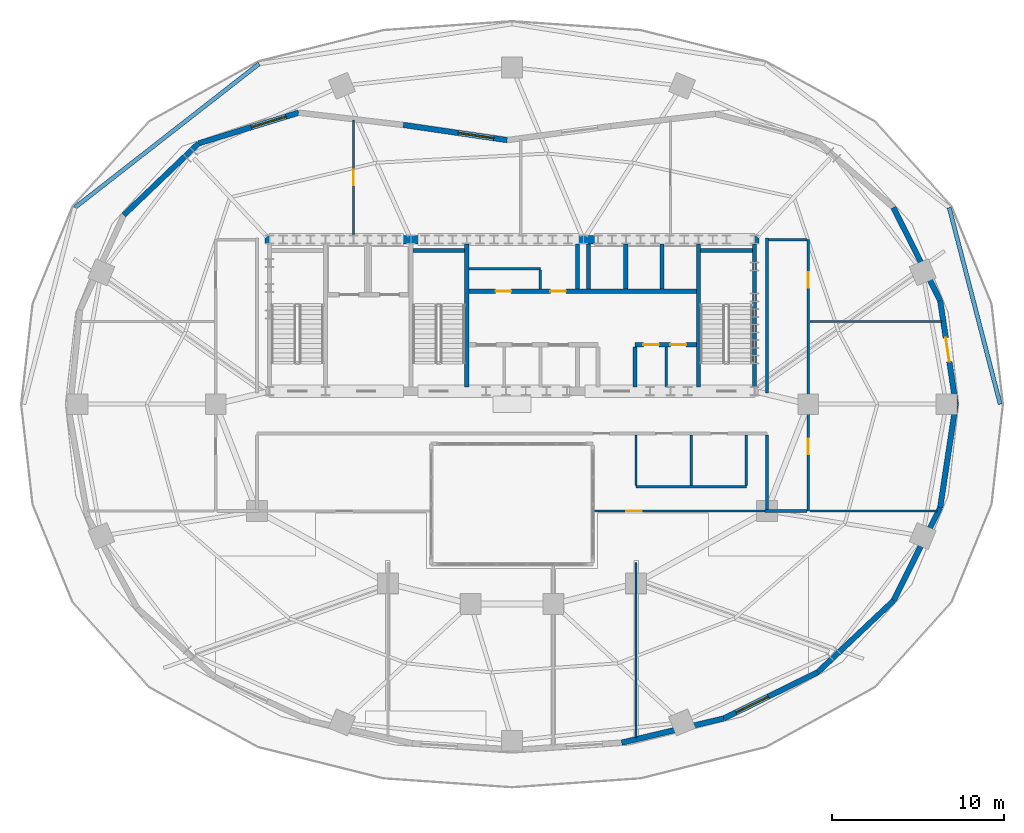
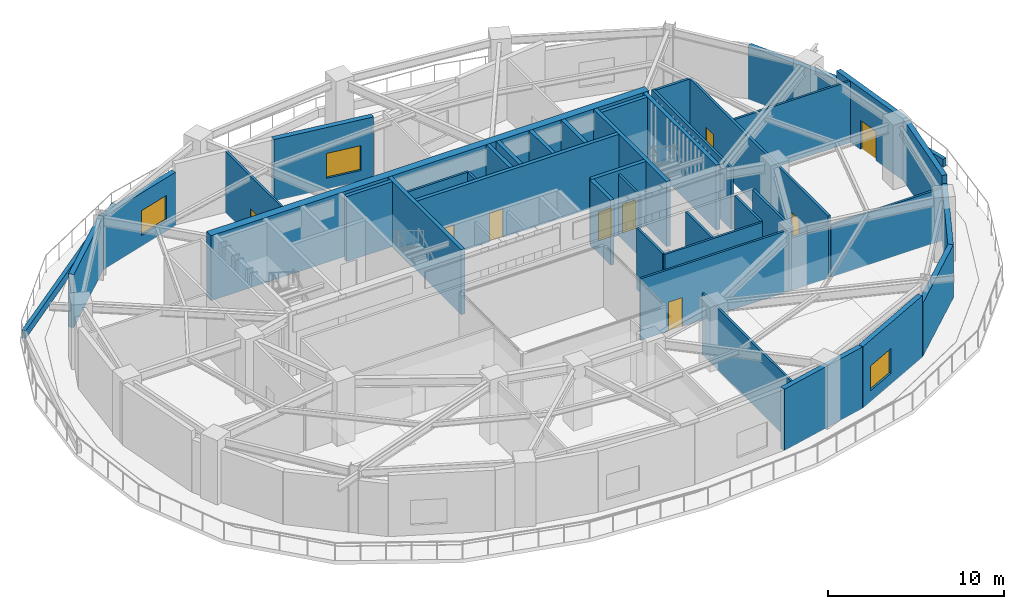
# One storey, part 7 of 11: 42 walls, 9 doors, 3 windows, 12 openings.
"""IFC4 building model written with IfcOpenShell, lengths in metres."""

from ifc_helpers import new_model, si_unit, direction, frame, frame_2d, origin, place, context, subcontext, project, spatial, rectangle, extrude, material, layer, layer_set, type_object, element, fill, save


model = new_model("IFC4")

# Units and contexts
model_context = context("Model", 3, precision=1e-05, world=origin(), true_north=direction((0.0, 1.0)))
body_context = subcontext(model_context, "Body", "Model", "MODEL_VIEW")
ifc_project = project(units=[si_unit("LENGTHUNIT", "METRE"), si_unit("AREAUNIT", "SQUARE_METRE"), si_unit("VOLUMEUNIT", "CUBIC_METRE"), si_unit("PLANEANGLEUNIT", "RADIAN"), si_unit("MASSUNIT", "GRAM", prefix="KILO")], contexts=[model_context])

# Site, building, storey
site_placement = place(None, origin())
site = spatial("IfcSite", under=ifc_project, at=site_placement, CompositionType="ELEMENT")
building_placement = place(site_placement, origin())
building = spatial("IfcBuilding", under=site, at=building_placement, Name="Haldorwick Loom Tower", CompositionType="ELEMENT")
storey_placement = place(building_placement, frame((0.0, 0.0, 131.14990234375)))
storey = spatial("IfcBuildingStorey", under=building, at=storey_placement, Name="L35", CompositionType="ELEMENT", Elevation=131.14990234375)

# Wall, opening, door
ifc_material_1 = material(Name="Pressed Clay Face Brick and Insulated Masonry Backup Assembly", Category="masonry")
ifc_layer_1 = layer(ifc_material_1, 0.320068359375, Name="Pressed Clay Face Brick and Insulated Masonry Backup Assembly", Category="masonry")
ifc_layer_set_1 = layer_set([ifc_layer_1], Name="Pressed Clay Face Brick and Insulated Masonry Backup Assembly")
wall_type_1 = type_object("IfcWallType", Name="ARC-WL-EXT320", PredefinedType="STANDARD", material=ifc_layer_set_1)
wall_1_placement = place(storey_placement, frame((61.757080078125, 26.0, 0.0), z_axis=(0.0, 0.0, 1.0), x_axis=(-0.148727351659, 0.988878240669, 0.0)))
wall_1 = element("IfcWall", 1, at=wall_1_placement, inside=storey, type_object=wall_type_1, Name="L35 Brick Pier and Spandrel Wall 1", PredefinedType="STANDARD", context=body_context, shape_type="SweptSolid", body=[
    extrude(rectangle(XDim=6.07861328125, YDim=0.320068359375, at=frame_2d((3.039306640625, 0.0))), origin(), (0.0, 0.0, 1.0), 4.260009765625),
])
opening_1_placement = place(wall_1_placement, frame((2.488525390625, 0.0, 0.0)))
opening_1 = element("IfcOpeningElement", 2, at=opening_1_placement, cuts=wall_1, Name="Opening D-TR14", PredefinedType="OPENING", context=body_context, shape_type="SweptSolid", body=[
    extrude(rectangle(XDim=1.39990234375, YDim=2.0400390625, at=frame_2d((0.699951171875, 1.02001953125))), frame((0.0, 0.169921875, 0.0), z_axis=(0.0, -1.0, 0.0), x_axis=(1.0, 0.0, 0.0)), (0.0, 0.0, 1.0), 0.340087890625),
])
ifc_material_2 = material(Name="Thermally Broken Anodized Aluminium Curtain Wall Framing", Category="aluminium")
door_type_1 = type_object("IfcDoorType", Name="ARC-DR-EXT-TER", OperationType="DOUBLE_DOOR_SINGLE_SWING", PredefinedType="DOOR", material=ifc_material_2)
door_1_placement = place(opening_1_placement, origin())
door_1 = element("IfcDoor", 3, at=door_1_placement, inside=storey, type_object=door_type_1, Name="L35 Outdoor Terrace Door SLB-L35-TERR-1", OperationType="DOUBLE_DOOR_SINGLE_SWING", OverallHeight=2.0400390625, OverallWidth=1.39990234375, PredefinedType="DOOR", context=body_context, shape_type="SweptSolid", body=[
    extrude(rectangle(XDim=1.39990234375, YDim=2.0400390625, at=frame_2d((0.699951171875, 1.02001953125))), frame((0.0, 0.02490234375, 0.0), z_axis=(0.0, -1.0, 0.0), x_axis=(1.0, 0.0, 0.0)), (0.0, 0.0, 1.0), 0.050048828125),
])
fill(opening_1, door_1)

# Wall
wall_2_placement = place(storey_placement, frame((60.85302734375, 32.010986328125, 0.0), z_axis=(0.0, 0.0, 1.0), x_axis=(-0.448861516874, 0.893601330947, 0.0)))
element("IfcWall", 4, at=wall_2_placement, inside=storey, type_object=wall_type_1, Name="L35 Brick Pier and Spandrel Wall 2", PredefinedType="STANDARD", context=body_context, shape_type="SweptSolid", body=[
    extrude(rectangle(XDim=6.041748046875, YDim=0.320068359375, at=frame_2d((3.02099609375, 0.0))), origin(), (0.0, 0.0, 1.0), 3.691162109375),
])

# Wall, opening, window
wall_3_placement = place(storey_placement, frame((35.71630859375, 41.326416015625, 0.0), z_axis=(0.0, 0.0, 1.0), x_axis=(-0.989495498829, 0.14456368077, 0.0)))
wall_3 = element("IfcWall", 5, at=wall_3_placement, inside=storey, type_object=wall_type_1, Name="L35 Brick Pier and Spandrel Wall 7", PredefinedType="STANDARD", context=body_context, shape_type="SweptSolid", body=[
    extrude(rectangle(XDim=6.08984375, YDim=0.320068359375, at=frame_2d((3.044921875, 0.0))), origin(), (0.0, 0.0, 1.0), 4.260009765625),
])
opening_2_placement = place(wall_3_placement, frame((0.77685546875, 0.0, 0.75)))
opening_2 = element("IfcOpeningElement", 6, at=opening_2_placement, cuts=wall_3, Name="Opening W-04", PredefinedType="OPENING", context=body_context, shape_type="SweptSolid", body=[
    extrude(rectangle(XDim=2.10009765625, YDim=1.719970703125, at=frame_2d((1.050048828125, 0.85986328125))), frame((0.0, 0.169921875, 0.0), z_axis=(0.0, -1.0, 0.0), x_axis=(1.0, 0.0, 0.0)), (0.0, 0.0, 1.0), 0.340087890625),
])
ifc_material_3 = material(Name="Triple-Glazed Low-E Argon Insulated Glazing Unit", Category="glass")
window_type = type_object("IfcWindowType", Name="ARC-WIN-W210", PartitioningType="SINGLE_PANEL", PredefinedType="WINDOW", material=ifc_material_3)
window_1_placement = place(opening_2_placement, origin())
window_1 = element("IfcWindow", 7, at=window_1_placement, inside=storey, type_object=window_type, Name="L35 Deep-Set Zone 7A Window 7", OverallHeight=1.719970703125, OverallWidth=2.10009765625, PartitioningType="SINGLE_PANEL", PredefinedType="WINDOW", context=body_context, shape_type="SweptSolid", body=[
    extrude(rectangle(XDim=2.10009765625, YDim=1.719970703125, at=frame_2d((1.050048828125, 0.85986328125))), frame((0.0, 0.030029296875, 0.0), z_axis=(0.0, -1.0, 0.0), x_axis=(1.0, 0.0, 0.0)), (0.0, 0.0, 1.0), 0.06005859375),
])
fill(opening_2, window_1)

wall_4_placement = place(storey_placement, frame((23.622802734375, 42.918701171875, 0.0), z_axis=(0.0, 0.0, 1.0), x_axis=(-0.956093676163, -0.29306122637, 0.0)))
wall_4 = element("IfcWall", 8, at=wall_4_placement, inside=storey, type_object=wall_type_1, Name="L35 Brick Pier and Spandrel Wall 9", PredefinedType="STANDARD", context=body_context, shape_type="SweptSolid", body=[
    extrude(rectangle(XDim=6.078857421875, YDim=0.320068359375, at=frame_2d((3.03955078125, 0.0))), origin(), (0.0, 0.0, 1.0), 3.691162109375),
])
opening_3_placement = place(wall_4_placement, frame((0.773681640625, 0.0, 0.75)))
opening_3 = element("IfcOpeningElement", 9, at=opening_3_placement, cuts=wall_4, Name="Opening W-04", PredefinedType="OPENING", context=body_context, shape_type="SweptSolid", body=[
    extrude(rectangle(XDim=2.10009765625, YDim=1.719970703125, at=frame_2d((1.050048828125, 0.85986328125))), frame((0.0, 0.169921875, 0.0), z_axis=(0.0, -1.0, 0.0), x_axis=(1.0, 0.0, 0.0)), (0.0, 0.0, 1.0), 0.340087890625),
])
window_2_placement = place(opening_3_placement, origin())
window_2 = element("IfcWindow", 10, at=window_2_placement, inside=storey, type_object=window_type, Name="L35 Deep-Set Zone 7A Window 9", OverallHeight=1.719970703125, OverallWidth=2.10009765625, PartitioningType="SINGLE_PANEL", PredefinedType="WINDOW", context=body_context, shape_type="SweptSolid", body=[
    extrude(rectangle(XDim=2.10009765625, YDim=1.719970703125, at=frame_2d((1.050048828125, 0.85986328125))), frame((0.0, 0.030029296875, 0.0), z_axis=(0.0, -1.0, 0.0), x_axis=(1.0, 0.0, 0.0)), (0.0, 0.0, 1.0), 0.06005859375),
])
fill(opening_3, window_2)

# Walls
wall_5_placement = place(storey_placement, frame((17.810791015625, 41.13720703125, 0.0), z_axis=(0.0, 0.0, 1.0), x_axis=(-0.722243642892, -0.691638720939, 0.0)))
element("IfcWall", 11, at=wall_5_placement, inside=storey, type_object=wall_type_1, Name="L35 Brick Pier and Spandrel Wall 10", PredefinedType="STANDARD", context=body_context, shape_type="SweptSolid", body=[
    extrude(rectangle(XDim=6.0068359375, YDim=0.320068359375, at=frame_2d((3.00341796875, 0.0))), origin(), (0.0, 0.0, 1.0), 3.691162109375),
])
wall_6_placement = place(storey_placement, frame((42.3681640625, 6.352294921875, 0.0), z_axis=(0.0, 0.0, 1.0), x_axis=(0.973068228124, 0.230517295262, 0.0)))
element("IfcWall", 12, at=wall_6_placement, inside=storey, type_object=wall_type_1, Name="L35 Brick Pier and Spandrel Wall 20", PredefinedType="STANDARD", context=body_context, shape_type="SweptSolid", body=[
    extrude(rectangle(XDim=6.093994140625, YDim=0.320068359375, at=frame_2d((3.046875, 0.0))), origin(), (0.0, 0.0, 1.0), 4.260009765625),
])

# Wall, opening, window
wall_7_placement = place(storey_placement, frame((48.298095703125, 7.757080078125, 0.0), z_axis=(0.0, 0.0, 1.0), x_axis=(0.897103775152, 0.441819891593, 0.0)))
wall_7 = element("IfcWall", 13, at=wall_7_placement, inside=storey, type_object=wall_type_1, Name="L35 Brick Pier and Spandrel Wall 21", PredefinedType="STANDARD", context=body_context, shape_type="SweptSolid", body=[
    extrude(rectangle(XDim=6.074462890625, YDim=0.320068359375, at=frame_2d((3.037109375, 0.0))), origin(), (0.0, 0.0, 1.0), 4.260009765625),
])
opening_4_placement = place(wall_7_placement, frame((0.7724609375, 0.0, 0.75)))
opening_4 = element("IfcOpeningElement", 14, at=opening_4_placement, cuts=wall_7, Name="Opening W-04", PredefinedType="OPENING", context=body_context, shape_type="SweptSolid", body=[
    extrude(rectangle(XDim=2.10009765625, YDim=1.719970703125, at=frame_2d((1.050048828125, 0.85986328125))), frame((0.0, 0.169921875, 0.0), z_axis=(0.0, -1.0, 0.0), x_axis=(1.0, 0.0, 0.0)), (0.0, 0.0, 1.0), 0.340087890625),
])
window_3_placement = place(opening_4_placement, origin())
window_3 = element("IfcWindow", 15, at=window_3_placement, inside=storey, type_object=window_type, Name="L35 Deep-Set Zone 7A Window 21", OverallHeight=1.719970703125, OverallWidth=2.10009765625, PartitioningType="SINGLE_PANEL", PredefinedType="WINDOW", context=body_context, shape_type="SweptSolid", body=[
    extrude(rectangle(XDim=2.10009765625, YDim=1.719970703125, at=frame_2d((1.050048828125, 0.85986328125))), frame((0.0, 0.030029296875, 0.0), z_axis=(0.0, -1.0, 0.0), x_axis=(1.0, 0.0, 0.0)), (0.0, 0.0, 1.0), 0.06005859375),
])
fill(opening_4, window_3)

# Walls
wall_8_placement = place(storey_placement, frame((53.74755859375, 10.44091796875, 0.0), z_axis=(0.0, 0.0, 1.0), x_axis=(0.727057967868, 0.686576078348, 0.0)))
element("IfcWall", 16, at=wall_8_placement, inside=storey, type_object=wall_type_1, Name="L35 Brick Pier and Spandrel Wall 22", PredefinedType="STANDARD", context=body_context, shape_type="SweptSolid", body=[
    extrude(rectangle(XDim=6.04296875, YDim=0.320068359375, at=frame_2d((3.021484375, 0.0))), origin(), (0.0, 0.0, 1.0), 3.691162109375),
])
wall_9_placement = place(storey_placement, frame((58.14111328125, 14.58984375, 0.0), z_axis=(0.0, 0.0, 1.0), x_axis=(0.448845309264, 0.893609471946, 0.0)))
element("IfcWall", 17, at=wall_9_placement, inside=storey, type_object=wall_type_1, Name="L35 Brick Pier and Spandrel Wall 23", PredefinedType="STANDARD", context=body_context, shape_type="SweptSolid", body=[
    extrude(rectangle(XDim=6.0419921875, YDim=0.320068359375, at=frame_2d((3.02099609375, 0.0))), origin(), (0.0, 0.0, 1.0), 3.691162109375),
])
wall_10_placement = place(storey_placement, frame((60.85302734375, 19.989013671875, 0.0), z_axis=(0.0, 0.0, 1.0), x_axis=(0.148727351659, 0.988878240669, 0.0)))
element("IfcWall", 18, at=wall_10_placement, inside=storey, type_object=wall_type_1, Name="L35 Brick Pier and Spandrel Wall 24", PredefinedType="STANDARD", context=body_context, shape_type="SweptSolid", body=[
    extrude(rectangle(XDim=6.07861328125, YDim=0.320068359375, at=frame_2d((3.039306640625, 0.0))), origin(), (0.0, 0.0, 1.0), 4.260009765625),
])

# Wall, openings, doors
ifc_material_4 = material(Name="Fire-Rated Type X Gypsum Stud Assembly EI 60")
ifc_layer_2 = layer(ifc_material_4, 0.159912109375, Name="Fire-Rated Type X Gypsum Stud Assembly EI 60")
ifc_layer_set_2 = layer_set([ifc_layer_2], Name="Fire-Rated Type X Gypsum Stud Assembly EI 60")
wall_type_2 = type_object("IfcWallType", Name="ARC-WL-FIRE160", PredefinedType="PARTITIONING", material=ifc_layer_set_2)
wall_11_placement = place(storey_placement, frame((53.199951171875, 19.800048828125, 0.0), z_axis=(0.0, 0.0, 1.0), x_axis=(0.0, 1.0, 0.0)))
wall_11 = element("IfcWall", 19, at=wall_11_placement, inside=storey, type_object=wall_type_2, Name="L35 Interior Partition L35-CE0", PredefinedType="PARTITIONING", context=body_context, shape_type="SweptSolid", body=[
    extrude(rectangle(XDim=15.75, YDim=0.159912109375, at=frame_2d((7.875, 0.0))), origin(), (0.0, 0.0, 1.0), 4.2451171875),
])
opening_5_placement = place(wall_11_placement, frame((3.288818359375, 0.0, 0.0)))
opening_5 = element("IfcOpeningElement", 20, at=opening_5_placement, cuts=wall_11, Name="Opening D-FD60A", PredefinedType="OPENING", context=body_context, shape_type="SweptSolid", body=[
    extrude(rectangle(XDim=0.89990234375, YDim=2.0, at=frame_2d((0.449951171875, 1.0))), frame((0.0, 0.08984375, 0.0), z_axis=(0.0, -1.0, 0.0), x_axis=(1.0, 0.0, 0.0)), (0.0, 0.0, 1.0), 0.179931640625),
])
opening_6_placement = place(wall_11_placement, frame((12.970703125, 0.0, 0.0)))
opening_6 = element("IfcOpeningElement", 21, at=opening_6_placement, cuts=wall_11, Name="Opening D-FD60A", PredefinedType="OPENING", context=body_context, shape_type="SweptSolid", body=[
    extrude(rectangle(XDim=0.89990234375, YDim=2.0, at=frame_2d((0.449951171875, 1.0))), frame((0.0, 0.08984375, 0.0), z_axis=(0.0, -1.0, 0.0), x_axis=(1.0, 0.0, 0.0)), (0.0, 0.0, 1.0), 0.179931640625),
])
ifc_material_5 = material(Name="Hollow Steel Fire Door Assembly", Category="steel")
door_type_2 = type_object("IfcDoorType", Name="ARC-DR-FD60-90", OperationType="NOTDEFINED", PredefinedType="DOOR", material=ifc_material_5)
door_2_placement = place(opening_5_placement, origin())
door_2 = element("IfcDoor", 22, at=door_2_placement, inside=storey, type_object=door_type_2, Name="L35 L35 Central Transfer Corridor to Waist Terrace Fitness Gym 6 Door", OperationType="SINGLE_SWING_RIGHT", OverallHeight=2.0, OverallWidth=0.89990234375, PredefinedType="DOOR", context=body_context, shape_type="SweptSolid", body=[
    extrude(rectangle(XDim=0.89990234375, YDim=2.0, at=frame_2d((0.449951171875, 1.0))), frame((0.0, 0.02490234375, 0.0), z_axis=(0.0, -1.0, 0.0), x_axis=(1.0, 0.0, 0.0)), (0.0, 0.0, 1.0), 0.050048828125),
])
fill(opening_5, door_2)
door_3_placement = place(opening_6_placement, origin())
door_3 = element("IfcDoor", 23, at=door_3_placement, inside=storey, type_object=door_type_2, Name="L35 L35 Central Transfer Corridor to Resident Tea Pantry 9 Door", OperationType="SINGLE_SWING_RIGHT", OverallHeight=2.0, OverallWidth=0.89990234375, PredefinedType="DOOR", context=body_context, shape_type="SweptSolid", body=[
    extrude(rectangle(XDim=0.89990234375, YDim=2.0, at=frame_2d((0.449951171875, 1.0))), frame((0.0, 0.02490234375, 0.0), z_axis=(0.0, -1.0, 0.0), x_axis=(1.0, 0.0, 0.0)), (0.0, 0.0, 1.0), 0.050048828125),
])
fill(opening_6, door_3)

# Walls
wall_12_placement = place(storey_placement, frame((50.679931640625, 19.800048828125, 0.0), z_axis=(0.0, 0.0, 1.0), x_axis=(1.0, 0.0, 0.0)))
element("IfcWall", 24, at=wall_12_placement, inside=storey, type_object=wall_type_2, Name="L35 Interior Partition L35-CES", PredefinedType="PARTITIONING", context=body_context, shape_type="SweptSolid", body=[
    extrude(rectangle(XDim=2.43701171875, YDim=0.159912109375, at=frame_2d((1.218505859375, 0.0))), origin(), (0.0, 0.0, 1.0), 3.6181640625),
])
wall_13_placement = place(storey_placement, frame((50.800048828125, 19.883056640625, 0.0), z_axis=(0.0, 0.0, 1.0), x_axis=(0.0, 1.0, 0.0)))
element("IfcWall", 25, at=wall_13_placement, inside=storey, type_object=wall_type_2, Name="L35 Interior Partition L35-CE1", PredefinedType="PARTITIONING", context=body_context, shape_type="SweptSolid", body=[
    extrude(rectangle(XDim=4.333984375, YDim=0.159912109375, at=frame_2d((2.1669921875, 0.0))), origin(), (0.0, 0.0, 1.0), 4.2451171875),
])
wall_14_placement = place(storey_placement, frame((50.800048828125, 26.64990234375, 0.0), z_axis=(0.0, 0.0, 1.0), x_axis=(0.0, 1.0, 0.0)))
element("IfcWall", 26, at=wall_14_placement, inside=storey, type_object=wall_type_2, Name="L35 Interior Partition L35-CE2", PredefinedType="PARTITIONING", context=body_context, shape_type="SweptSolid", body=[
    extrude(rectangle(XDim=9.0, YDim=0.159912109375, at=frame_2d((4.5, 0.0))), origin(), (0.0, 0.0, 1.0), 4.2451171875),
])
wall_15_placement = place(storey_placement, frame((50.883056640625, 35.550048828125, 0.0), z_axis=(0.0, 0.0, 1.0), x_axis=(1.0, 0.0, 0.0)))
element("IfcWall", 27, at=wall_15_placement, inside=storey, type_object=wall_type_2, Name="L35 Interior Partition L35-CEN", PredefinedType="PARTITIONING", context=body_context, shape_type="SweptSolid", body=[
    extrude(rectangle(XDim=2.23388671875, YDim=0.159912109375, at=frame_2d((1.116943359375, 0.0))), origin(), (0.0, 0.0, 1.0), 4.2451171875),
])
ifc_layer_3 = layer(ifc_material_1, 0.239990234375, Name="Pressed Clay Face Brick and Insulated Masonry Backup Assembly", Category="masonry")
ifc_layer_set_3 = layer_set([ifc_layer_3], Name="Pressed Clay Face Brick and Insulated Masonry Backup Assembly")
wall_type_3 = type_object("IfcWallType", Name="ARC-WL-PARAPET240", PredefinedType="PARAPET", material=ifc_layer_set_3)
wall_16_placement = place(storey_placement, frame((10.623046875, 37.40673828125, 0.0), z_axis=(0.0, 0.0, 1.0), x_axis=(0.788319401578, 0.615266219694, 0.0)))
element("IfcWall", 28, at=wall_16_placement, inside=storey, type_object=wall_type_3, Name="L35 Terrace Masonry Parapet 2", PredefinedType="PARAPET", context=body_context, shape_type="SweptSolid", body=[
    extrude(rectangle(XDim=13.5703125, YDim=0.239990234375, at=frame_2d((6.78515625, 0.0))), origin(), (0.0, 0.0, 1.0), 0.550048828125),
])
wall_17_placement = place(storey_placement, frame((61.376953125, 37.40673828125, 0.0), z_axis=(0.0, 0.0, 1.0), x_axis=(0.251115299116, -0.967957182188, 0.0)))
element("IfcWall", 29, at=wall_17_placement, inside=storey, type_object=wall_type_3, Name="L35 Terrace Masonry Parapet 6", PredefinedType="PARAPET", context=body_context, shape_type="SweptSolid", body=[
    extrude(rectangle(XDim=11.784423828125, YDim=0.239990234375, at=frame_2d((5.89208984375, 0.0))), origin(), (0.0, 0.0, 1.0), 0.550048828125),
])
ifc_layer_4 = layer(ifc_material_4, 0.139892578125, Name="Fire-Rated Type X Gypsum Stud Assembly EI 60")
ifc_layer_set_4 = layer_set([ifc_layer_4], Name="Fire-Rated Type X Gypsum Stud Assembly EI 60")
wall_type_4 = type_object("IfcWallType", Name="ARC-WL-PART140", PredefinedType="PARTITIONING", material=ifc_layer_set_4)
wall_18_placement = place(storey_placement, frame((33.492919921875, 33.85009765625, 0.0), z_axis=(0.0, 0.0, 1.0), x_axis=(1.0, 0.0, 0.0)))
element("IfcWall", 30, at=wall_18_placement, inside=storey, type_object=wall_type_4, Name="L35 Storage South Partition", PredefinedType="PARTITIONING", context=body_context, shape_type="SweptSolid", body=[
    extrude(rectangle(XDim=4.156982421875, YDim=0.139892578125, at=frame_2d((2.07861328125, 0.0))), origin(), (0.0, 0.0, 1.0), 4.2451171875),
])
wall_19_placement = place(storey_placement, frame((37.64990234375, 32.673095703125, 0.0), z_axis=(0.0, 0.0, 1.0), x_axis=(0.0, 1.0, 0.0)))
element("IfcWall", 31, at=wall_19_placement, inside=storey, type_object=wall_type_4, Name="L35 Storage East Partition", PredefinedType="PARTITIONING", context=body_context, shape_type="SweptSolid", body=[
    extrude(rectangle(XDim=1.10400390625, YDim=0.139892578125, at=frame_2d((0.552001953125, 0.0))), origin(), (0.0, 0.0, 1.0), 4.2451171875),
])
wall_20_placement = place(storey_placement, frame((44.949951171875, 27.0029296875, 0.0), z_axis=(0.0, 0.0, 1.0), x_axis=(0.0, 1.0, 0.0)))
element("IfcWall", 32, at=wall_20_placement, inside=storey, type_object=wall_type_4, Name="L35 Service Partition", PredefinedType="PARTITIONING", context=body_context, shape_type="SweptSolid", body=[
    extrude(rectangle(XDim=2.323974609375, YDim=0.139892578125, at=frame_2d((1.162109375, 0.0))), origin(), (0.0, 0.0, 1.0), 4.2451171875),
])
wall_21_placement = place(storey_placement, frame((43.199951171875, 21.199951171875, 0.0), z_axis=(0.0, 0.0, 1.0), x_axis=(1.0, 0.0, 0.0)))
element("IfcWall", 33, at=wall_21_placement, inside=storey, type_object=wall_type_4, Name="L35 Interior Partition L35-WC1", PredefinedType="PARTITIONING", context=body_context, shape_type="SweptSolid", body=[
    extrude(rectangle(XDim=6.400146484375, YDim=0.139892578125, at=frame_2d((3.2001953125, 0.0))), origin(), (0.0, 0.0, 1.0), 4.2451171875),
])
for number, where, z_axis, x_axis, name in (
    (34, (46.39990234375, 21.27294921875, 0.0), (0.0, 0.0, 1.0), (0.0, 1.0, 0.0), "L35 Interior Partition L35-WC2"),
    (35, (43.199951171875, 21.27294921875, 0.0), (0.0, 0.0, 1.0), (0.0, 1.0, 0.0), "L35 Interior Partition L35-WC3"),
    (36, (49.60009765625, 21.27294921875, 0.0), (0.0, 0.0, 1.0), (0.0, 1.0, 0.0), "L35 Interior Partition L35-WC4"),
):
    element("IfcWall", number, at=place(storey_placement, frame(where, z_axis=z_axis, x_axis=x_axis)), inside=storey, type_object=wall_type_4, Name=name, PredefinedType="PARTITIONING", context=body_context, shape_type="SweptSolid", body=[
        extrude(rectangle(XDim=2.944091796875, YDim=0.139892578125, at=frame_2d((1.47216796875, 0.0))), origin(), (0.0, 0.0, 1.0), 4.2451171875),
    ])
wall_22_placement = place(storey_placement, frame((43.199951171875, 6.6162109375, 0.0), z_axis=(0.0, 0.0, 1.0), x_axis=(0.0, 1.0, 0.0)))
element("IfcWall", 37, at=wall_22_placement, inside=storey, type_object=wall_type_4, Name="L35 Interior Partition L35-S-2", PredefinedType="PARTITIONING", context=body_context, shape_type="SweptSolid", body=[
    extrude(rectangle(XDim=10.183837890625, YDim=0.139892578125, at=frame_2d((5.091796875, 0.0))), origin(), (0.0, 0.0, 1.0), 4.2451171875),
])

# Wall, opening, door
wall_23_placement = place(storey_placement, frame((40.802978515625, 19.800048828125, 0.0), z_axis=(0.0, 0.0, 1.0), x_axis=(1.0, 0.0, 0.0)))
wall_23 = element("IfcWall", 38, at=wall_23_placement, inside=storey, type_object=wall_type_4, Name="L35 Interior Partition L35-EL-S", PredefinedType="PARTITIONING", context=body_context, shape_type="SweptSolid", body=[
    extrude(rectangle(XDim=9.876953125, YDim=0.139892578125, at=frame_2d((4.9384765625, 0.0))), origin(), (0.0, 0.0, 1.0), 4.2451171875),
])
opening_7_placement = place(wall_23_placement, frame((1.8359375, 0.0, 0.0)))
opening_7 = element("IfcOpeningElement", 39, at=opening_7_placement, cuts=wall_23, Name="Opening D-FD60A", PredefinedType="OPENING", context=body_context, shape_type="SweptSolid", body=[
    extrude(rectangle(XDim=0.89990234375, YDim=2.0, at=frame_2d((0.449951171875, 1.0))), frame((0.0, 0.079833984375, 0.0), z_axis=(0.0, -1.0, 0.0), x_axis=(1.0, 0.0, 0.0)), (0.0, 0.0, 1.0), 0.159912109375),
])
door_4_placement = place(opening_7_placement, origin())
door_4 = element("IfcDoor", 40, at=door_4_placement, inside=storey, type_object=door_type_2, Name="L35 Community Yoga Hall 3 to Preventive Health Classroom 2 Door", OperationType="SINGLE_SWING_RIGHT", OverallHeight=2.0, OverallWidth=0.89990234375, PredefinedType="DOOR", context=body_context, shape_type="SweptSolid", body=[
    extrude(rectangle(XDim=0.89990234375, YDim=2.0, at=frame_2d((0.449951171875, 1.0))), frame((0.0, 0.02490234375, 0.0), z_axis=(0.0, -1.0, 0.0), x_axis=(1.0, 0.0, 0.0)), (0.0, 0.0, 1.0), 0.050048828125),
])
fill(opening_7, door_4)

# Walls
wall_24_placement = place(storey_placement, frame((53.282958984375, 19.800048828125, 0.0), z_axis=(0.0, 0.0, 1.0), x_axis=(1.0, 0.0, 0.0)))
element("IfcWall", 41, at=wall_24_placement, inside=storey, type_object=wall_type_4, Name="L35 Interior Partition L35-EL-S", PredefinedType="PARTITIONING", context=body_context, shape_type="SweptSolid", body=[
    extrude(rectangle(XDim=7.40234375, YDim=0.139892578125, at=frame_2d((3.701171875, 0.0))), origin(), (0.0, 0.0, 1.0), 3.6181640625),
])
wall_25_placement = place(storey_placement, frame((53.282958984375, 30.800048828125, 0.0), z_axis=(0.0, 0.0, 1.0), x_axis=(1.0, 0.0, 0.0)))
element("IfcWall", 42, at=wall_25_placement, inside=storey, type_object=wall_type_4, Name="L35 Interior Partition L35-EL-N", PredefinedType="PARTITIONING", context=body_context, shape_type="SweptSolid", body=[
    extrude(rectangle(XDim=7.6865234375, YDim=0.139892578125, at=frame_2d((3.84326171875, 0.0))), origin(), (0.0, 0.0, 1.0), 4.2451171875),
])

# Wall, opening, door
wall_26_placement = place(storey_placement, frame((26.800048828125, 35.802978515625, 0.0), z_axis=(0.0, 0.0, 1.0), x_axis=(0.0, 1.0, 0.0)))
wall_26 = element("IfcWall", 43, at=wall_26_placement, inside=storey, type_object=wall_type_4, Name="L35 Interior Partition L35-N-0", PredefinedType="PARTITIONING", context=body_context, shape_type="SweptSolid", body=[
    extrude(rectangle(XDim=6.677490234375, YDim=0.139892578125, at=frame_2d((3.3388671875, 0.0))), origin(), (0.0, 0.0, 1.0), 4.2451171875),
])
opening_8_placement = place(wall_26_placement, frame((2.898681640625, 0.0, 0.0)))
opening_8 = element("IfcOpeningElement", 44, at=opening_8_placement, cuts=wall_26, Name="Opening D-FD60A", PredefinedType="OPENING", context=body_context, shape_type="SweptSolid", body=[
    extrude(rectangle(XDim=0.89990234375, YDim=2.0, at=frame_2d((0.449951171875, 1.0))), frame((0.0, 0.079833984375, 0.0), z_axis=(0.0, -1.0, 0.0), x_axis=(1.0, 0.0, 0.0)), (0.0, 0.0, 1.0), 0.159912109375),
])
door_5_placement = place(opening_8_placement, origin())
door_5 = element("IfcDoor", 45, at=door_5_placement, inside=storey, type_object=door_type_2, Name="L35 Wellness Consulting Office 10 to Waist Terrace Fitness Gym 11 Door", OperationType="SINGLE_SWING_LEFT", OverallHeight=2.0, OverallWidth=0.89990234375, PredefinedType="DOOR", context=body_context, shape_type="SweptSolid", body=[
    extrude(rectangle(XDim=0.89990234375, YDim=2.0, at=frame_2d((0.449951171875, 1.0))), frame((0.0, 0.02490234375, 0.0), z_axis=(0.0, -1.0, 0.0), x_axis=(1.0, 0.0, 0.0)), (0.0, 0.0, 1.0), 0.050048828125),
])
fill(opening_8, door_5)

# Walls
ifc_material_6 = material(Name="Concrete C60 (60 MPa)", Category="concrete")
ifc_layer_5 = layer(ifc_material_6, 0.5, Name="Concrete C60 (60 MPa)", Category="concrete")
ifc_layer_set_5 = layer_set([ifc_layer_5], Name="Concrete C60 (60 MPa)")
wall_type_5 = type_object("IfcWallType", Name="STR-WL-CORE500", PredefinedType="SHEAR", material=ifc_layer_set_5)
wall_27_placement = place(storey_placement, frame((50.35009765625, 35.550048828125, 0.0), z_axis=(0.0, 0.0, 1.0), x_axis=(-1.0, 0.0, 0.0)))
element("IfcWall", 46, at=wall_27_placement, inside=storey, type_object=wall_type_5, Name="L35 Core Shear Wall N", PredefinedType="SHEAR", context=body_context, shape_type="SweptSolid", body=[
    extrude(rectangle(XDim=28.7001953125, YDim=0.5, at=frame_2d((14.35009765625, 0.0))), origin(), (0.0, 0.0, 1.0), 4.5),
])
ifc_material_7 = material(Name="Concrete C50 (50 MPa)", Category="concrete")
ifc_layer_6 = layer(ifc_material_7, 0.239990234375, Name="Concrete C50 (50 MPa)", Category="concrete")
ifc_layer_set_6 = layer_set([ifc_layer_6], Name="Concrete C50 (50 MPa)")
wall_type_6 = type_object("IfcWallType", Name="STR-WL-SHAFT240", PredefinedType="SHEAR", material=ifc_layer_set_6)
for number, where, z_axis, x_axis, name in (
    (47, (50.070068359375, 27.0029296875, 0.0), (0.0, 0.0, 1.0), (0.0, 1.0, 0.0), "L35 Core Shear Wall E"),
    (48, (33.3701171875, 27.0029296875, 0.0), (0.0, 0.0, 1.0), (0.0, 1.0, 0.0), "L35 Core Shear Wall 3"),
):
    element("IfcWall", number, at=place(storey_placement, frame(where, z_axis=z_axis, x_axis=x_axis)), inside=storey, type_object=wall_type_6, Name=name, PredefinedType="SHEAR", context=body_context, shape_type="SweptSolid", body=[
        extrude(rectangle(XDim=8.294189453125, YDim=0.239990234375, at=frame_2d((4.14697265625, 0.0))), origin(), (0.0, 0.0, 1.0), 4.5),
    ])
wall_28_placement = place(storey_placement, frame((30.2529296875, 34.919921875, 0.0), z_axis=(0.0, 0.0, 1.0), x_axis=(1.0, 0.0, 0.0)))
element("IfcWall", 49, at=wall_28_placement, inside=storey, type_object=wall_type_6, Name="L35 Core Shear Wall 3N", PredefinedType="SHEAR", context=body_context, shape_type="SweptSolid", body=[
    extrude(rectangle(XDim=2.994140625, YDim=0.239990234375, at=frame_2d((1.4970703125, 0.0))), origin(), (0.0, 0.0, 1.0), 4.5),
])
wall_29_placement = place(storey_placement, frame((46.830078125, 27.0029296875, 0.0), z_axis=(0.0, 0.0, 1.0), x_axis=(0.0, 1.0, 0.0)))
element("IfcWall", 50, at=wall_29_placement, inside=storey, type_object=wall_type_6, Name="L35 Core Shear Wall 4", PredefinedType="SHEAR", context=body_context, shape_type="SweptSolid", body=[
    extrude(rectangle(XDim=8.294189453125, YDim=0.239990234375, at=frame_2d((4.14697265625, 0.0))), origin(), (0.0, 0.0, 1.0), 4.5),
])
wall_30_placement = place(storey_placement, frame((46.952880859375, 34.919921875, 0.0), z_axis=(0.0, 0.0, 1.0), x_axis=(1.0, 0.0, 0.0)))
element("IfcWall", 51, at=wall_30_placement, inside=storey, type_object=wall_type_6, Name="L35 Core Shear Wall 4N", PredefinedType="SHEAR", context=body_context, shape_type="SweptSolid", body=[
    extrude(rectangle(XDim=2.994140625, YDim=0.239990234375, at=frame_2d((1.4970703125, 0.0))), origin(), (0.0, 0.0, 1.0), 4.5),
])

# Wall, openings, doors
wall_31_placement = place(storey_placement, frame((33.492919921875, 32.550048828125, 0.0), z_axis=(0.0, 0.0, 1.0), x_axis=(1.0, 0.0, 0.0)))
wall_31 = element("IfcWall", 52, at=wall_31_placement, inside=storey, type_object=wall_type_6, Name="L35 Core Shear Wall LN", PredefinedType="SHEAR", context=body_context, shape_type="SweptSolid", body=[
    extrude(rectangle(XDim=13.214111328125, YDim=0.239990234375, at=frame_2d((6.60693359375, 0.0))), origin(), (0.0, 0.0, 1.0), 4.5),
])
opening_9_placement = place(wall_31_placement, frame((1.556884765625, 0.0, 0.0)))
opening_9 = element("IfcOpeningElement", 53, at=opening_9_placement, cuts=wall_31, Name="Opening D-FD60A", PredefinedType="OPENING", context=body_context, shape_type="SweptSolid", body=[
    extrude(rectangle(XDim=0.89990234375, YDim=2.0, at=frame_2d((0.449951171875, 1.0))), frame((0.0, 0.1298828125, 0.0), z_axis=(0.0, -1.0, 0.0), x_axis=(1.0, 0.0, 0.0)), (0.0, 0.0, 1.0), 0.260009765625),
])
opening_10_placement = place(wall_31_placement, frame((4.737060546875, 0.0, 0.0)))
opening_10 = element("IfcOpeningElement", 54, at=opening_10_placement, cuts=wall_31, Name="Opening D-FD60A", PredefinedType="OPENING", context=body_context, shape_type="SweptSolid", body=[
    extrude(rectangle(XDim=0.89990234375, YDim=2.0, at=frame_2d((0.449951171875, 1.0))), frame((0.0, 0.1298828125, 0.0), z_axis=(0.0, -1.0, 0.0), x_axis=(1.0, 0.0, 0.0)), (0.0, 0.0, 1.0), 0.260009765625),
])
door_6_placement = place(opening_9_placement, frame((0.89990234375, 0.0, 0.0), z_axis=(0.0, 0.0, 1.0), x_axis=(-1.0, 0.0, 0.0)))
door_6 = element("IfcDoor", 55, at=door_6_placement, inside=storey, type_object=door_type_2, Name="L35 Resident Storage Door", OperationType="SINGLE_SWING_LEFT", OverallHeight=2.0, OverallWidth=0.89990234375, PredefinedType="DOOR", context=body_context, shape_type="SweptSolid", body=[
    extrude(rectangle(XDim=0.89990234375, YDim=2.0, at=frame_2d((0.449951171875, 1.0))), frame((0.0, 0.02490234375, 0.0), z_axis=(0.0, -1.0, 0.0), x_axis=(1.0, 0.0, 0.0)), (0.0, 0.0, 1.0), 0.050048828125),
])
fill(opening_9, door_6)
door_7_placement = place(opening_10_placement, frame((0.89990234375, 0.0, 0.0), z_axis=(0.0, 0.0, 1.0), x_axis=(-1.0, 0.0, 0.0)))
door_7 = element("IfcDoor", 56, at=door_7_placement, inside=storey, type_object=door_type_2, Name="L35 Laundry Door", OperationType="SINGLE_SWING_RIGHT", OverallHeight=2.0, OverallWidth=0.89990234375, PredefinedType="DOOR", context=body_context, shape_type="SweptSolid", body=[
    extrude(rectangle(XDim=0.89990234375, YDim=2.0, at=frame_2d((0.449951171875, 1.0))), frame((0.0, 0.02490234375, 0.0), z_axis=(0.0, -1.0, 0.0), x_axis=(1.0, 0.0, 0.0)), (0.0, 0.0, 1.0), 0.050048828125),
])
fill(opening_10, door_7)

wall_32_placement = place(storey_placement, frame((43.14990234375, 29.449951171875, 0.0), z_axis=(0.0, 0.0, 1.0), x_axis=(1.0, 0.0, 0.0)))
wall_32 = element("IfcWall", 57, at=wall_32_placement, inside=storey, type_object=wall_type_6, Name="L35 Core Shear Wall LS2", PredefinedType="SHEAR", context=body_context, shape_type="SweptSolid", body=[
    extrude(rectangle(XDim=3.55712890625, YDim=0.239990234375, at=frame_2d((1.778564453125, 0.0))), origin(), (0.0, 0.0, 1.0), 4.5),
])
opening_11_placement = place(wall_32_placement, frame((0.47998046875, 0.0, 0.0)))
opening_11 = element("IfcOpeningElement", 58, at=opening_11_placement, cuts=wall_32, Name="Opening D-FD60A", PredefinedType="OPENING", context=body_context, shape_type="SweptSolid", body=[
    extrude(rectangle(XDim=0.89990234375, YDim=2.0, at=frame_2d((0.449951171875, 1.0))), frame((0.0, 0.1298828125, 0.0), z_axis=(0.0, -1.0, 0.0), x_axis=(1.0, 0.0, 0.0)), (0.0, 0.0, 1.0), 0.260009765625),
])
opening_12_placement = place(wall_32_placement, frame((2.050048828125, 0.0, 0.0)))
opening_12 = element("IfcOpeningElement", 59, at=opening_12_placement, cuts=wall_32, Name="Opening D-FD60A", PredefinedType="OPENING", context=body_context, shape_type="SweptSolid", body=[
    extrude(rectangle(XDim=0.89990234375, YDim=2.0, at=frame_2d((0.449951171875, 1.0))), frame((0.0, 0.1298828125, 0.0), z_axis=(0.0, -1.0, 0.0), x_axis=(1.0, 0.0, 0.0)), (0.0, 0.0, 1.0), 0.260009765625),
])
door_8_placement = place(opening_11_placement, origin())
door_8 = element("IfcDoor", 60, at=door_8_placement, inside=storey, type_object=door_type_2, Name="L35 Electrical Room Door", OperationType="SINGLE_SWING_LEFT", OverallHeight=2.0, OverallWidth=0.89990234375, PredefinedType="DOOR", context=body_context, shape_type="SweptSolid", body=[
    extrude(rectangle(XDim=0.89990234375, YDim=2.0, at=frame_2d((0.449951171875, 1.0))), frame((0.0, 0.02490234375, 0.0), z_axis=(0.0, -1.0, 0.0), x_axis=(1.0, 0.0, 0.0)), (0.0, 0.0, 1.0), 0.050048828125),
])
fill(opening_11, door_8)
door_9_placement = place(opening_12_placement, origin())
door_9 = element("IfcDoor", 61, at=door_9_placement, inside=storey, type_object=door_type_2, Name="L35 Cleaner's Store Door", OperationType="SINGLE_SWING_LEFT", OverallHeight=2.0, OverallWidth=0.89990234375, PredefinedType="DOOR", context=body_context, shape_type="SweptSolid", body=[
    extrude(rectangle(XDim=0.89990234375, YDim=2.0, at=frame_2d((0.449951171875, 1.0))), frame((0.0, 0.02490234375, 0.0), z_axis=(0.0, -1.0, 0.0), x_axis=(1.0, 0.0, 0.0)), (0.0, 0.0, 1.0), 0.050048828125),
])
fill(opening_12, door_9)

# Walls
wall_33_placement = place(storey_placement, frame((43.14990234375, 27.0029296875, 0.0), z_axis=(0.0, 0.0, 1.0), x_axis=(0.0, 1.0, 0.0)))
element("IfcWall", 62, at=wall_33_placement, inside=storey, type_object=wall_type_6, Name="L35 Core Shear Wall THE", PredefinedType="SHEAR", context=body_context, shape_type="SweptSolid", body=[
    extrude(rectangle(XDim=2.323974609375, YDim=0.239990234375, at=frame_2d((1.162109375, 0.0))), origin(), (0.0, 0.0, 1.0), 4.5),
])
for number, where, z_axis, x_axis, name in (
    (63, (39.800048828125, 32.673095703125, 0.0), (0.0, 0.0, 1.0), (0.0, 1.0, 0.0), "L35 Core Shear Wall LHW"),
    (64, (40.449951171875, 32.673095703125, 0.0), (0.0, 0.0, 1.0), (0.0, 1.0, 0.0), "L35 Core Shear Wall H0"),
    (65, (42.60009765625, 32.673095703125, 0.0), (0.0, 0.0, 1.0), (0.0, 1.0, 0.0), "L35 Core Shear Wall H1"),
    (66, (44.699951171875, 32.673095703125, 0.0), (0.0, 0.0, 1.0), (0.0, 1.0, 0.0), "L35 Core Shear Wall H2"),
):
    element("IfcWall", number, at=place(storey_placement, frame(where, z_axis=z_axis, x_axis=x_axis)), inside=storey, type_object=wall_type_6, Name=name, PredefinedType="SHEAR", context=body_context, shape_type="SweptSolid", body=[
        extrude(rectangle(XDim=2.6240234375, YDim=0.239990234375, at=frame_2d((1.31201171875, 0.0))), origin(), (0.0, 0.0, 1.0), 4.5),
    ])

save(model, "model.ifc")
